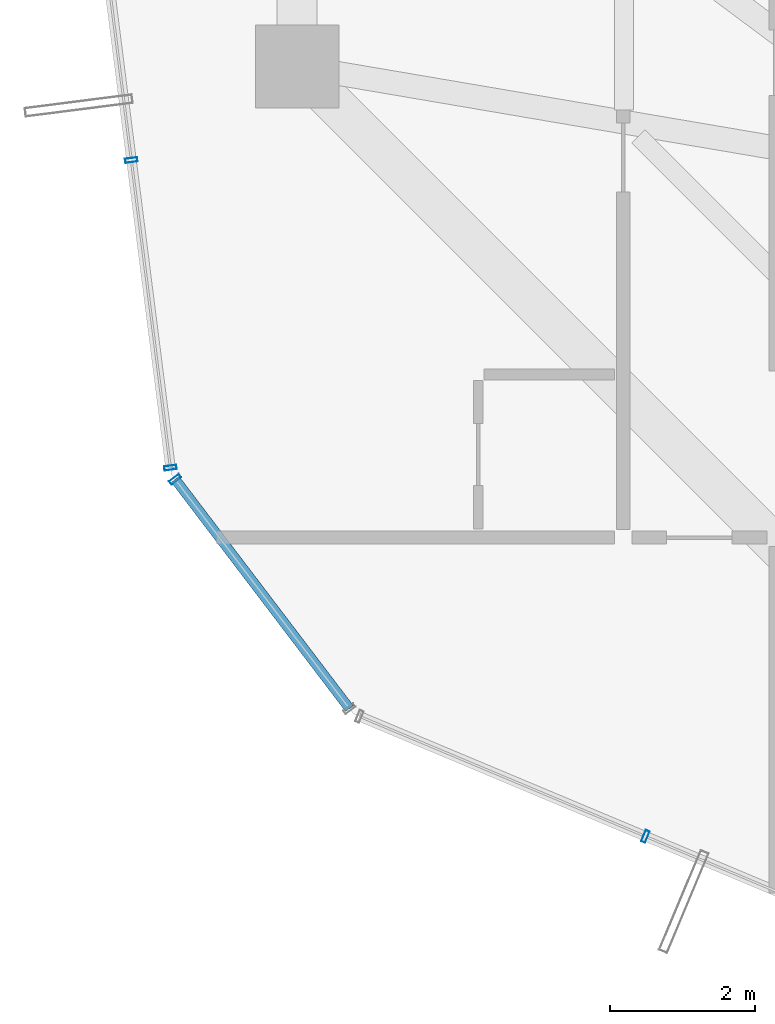
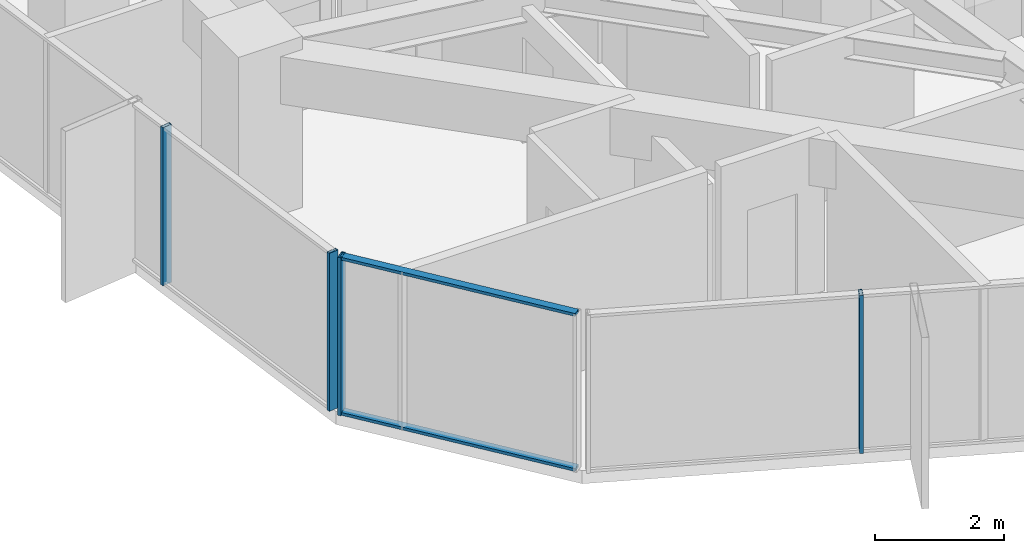
# One storey, part 4 of 33: 6 members, 3 elements without a shape of their own.
"""IFC4 building model written with IfcOpenShell, lengths in metres."""

from ifc_helpers import new_model, si_unit, direction, frame, origin, origin_2d, place, context, subcontext, project, spatial, hollow_rectangle, extrude, source, transform, mapped, material, layer, layer_set, material_profile, profile_set, type_object, element, aggregate, save


model = new_model("IFC4")

# Units and contexts
model_context = context("Model", 3, precision=1e-05, world=origin(), true_north=direction((0.0, 1.0)))
body_context = subcontext(model_context, "Body", "Model", "MODEL_VIEW")
ifc_project = project(units=[si_unit("LENGTHUNIT", "METRE"), si_unit("AREAUNIT", "SQUARE_METRE"), si_unit("VOLUMEUNIT", "CUBIC_METRE"), si_unit("PLANEANGLEUNIT", "RADIAN"), si_unit("MASSUNIT", "GRAM", prefix="KILO")], contexts=[model_context])

# Site, building, storey
site_placement = place(None, origin())
site = spatial("IfcSite", under=ifc_project, at=site_placement, CompositionType="ELEMENT")
building_placement = place(site_placement, origin())
building = spatial("IfcBuilding", under=site, at=building_placement, Name="Veraguas Prism Commons", CompositionType="ELEMENT")
storey_placement = place(building_placement, frame((0.0, 0.0, 152.25)))
storey = spatial("IfcBuildingStorey", under=building, at=storey_placement, Name="L43", CompositionType="ELEMENT", Elevation=152.25)

# Curtain wall, members
ifc_material = material(Name="Anodised aluminium EN AW-6063 T6", Category="aluminium")
ifc_layer = layer(ifc_material, 0.169921875, Name="Unitised Flush Curtain Wall Zone 2", Category="aluminium")
ifc_layer_set = layer_set([ifc_layer], Name="Anodised aluminium EN AW-6063 T6")
curtain_wall_type = type_object("IfcCurtainWallType", Name="Unitised Flush Curtain Wall Zone 2", PredefinedType="NOTDEFINED", material=ifc_layer_set)
curtain_wall_1_placement = place(storey_placement, origin())
curtain_wall_1 = element("IfcCurtainWall", 1, at=curtain_wall_1_placement, inside=storey, type_object=curtain_wall_type, Name="Tower Facade Curtain Wall L43-F3", PredefinedType="NOTDEFINED")
ifc_material_profile_1 = material_profile(ifc_material, hollow_rectangle(XDim=0.06005859375, YDim=0.169921875, WallThickness=0.00390625, at=origin_2d()), Name="AL60X170X4")
ifc_profile_set_1 = profile_set([ifc_material_profile_1], Name="Anodised aluminium EN AW-6063 T6")
member_type_1 = type_object("IfcMemberType", Name="Curtain Wall Mullion Lower AL 60x170x4", PredefinedType="MULLION", material=ifc_profile_set_1)
shared_shape_1 = source(origin(), body_context, "Body", "SweptSolid", [
    extrude(hollow_rectangle(XDim=0.06005859375, YDim=0.169921875, WallThickness=0.00390625, at=origin_2d()), origin(), (0.0, 0.0, 1.0), 3.0),
])
member_1_placement = place(storey_placement, frame((5.513427734375, 17.308349609375, 0.0), z_axis=(0.0, 0.0, 1.0), x_axis=(0.126020635446, -0.992027620302, 0.0)))
member_1 = element("IfcMember", 2, at=member_1_placement, type_object=member_type_1, Name="CW-Z2 Mullion 4", PredefinedType="MULLION", context=body_context, shape_type="MappedRepresentation", body=[
    mapped(shared_shape_1, transform((0.0, 0.0, 0.0), scale=1.0)),
])
member_2_placement = place(storey_placement, frame((6.052734375, 13.063720703125, 0.0), z_axis=(0.0, 0.0, 1.0), x_axis=(0.126020635446, -0.992027620302, 0.0)))
member_2 = element("IfcMember", 3, at=member_2_placement, type_object=member_type_1, Name="CW-Z2 Mullion 5", PredefinedType="MULLION", context=body_context, shape_type="MappedRepresentation", body=[
    mapped(shared_shape_1, transform((0.0, 0.0, 0.0), scale=1.0)),
])
aggregate(curtain_wall_1, [member_1, member_2])

# Curtain wall, member
curtain_wall_2_placement = place(storey_placement, origin())
curtain_wall_2 = element("IfcCurtainWall", 4, at=curtain_wall_2_placement, inside=storey, type_object=curtain_wall_type, Name="Tower Facade Curtain Wall L43-F4", PredefinedType="NOTDEFINED")
member_3_placement = place(storey_placement, frame((12.605712890625, 7.97802734375, 0.0), z_axis=(0.0, 0.0, 1.0), x_axis=(0.922132113386, -0.38687512903, 0.0)))
member_3 = element("IfcMember", 5, at=member_3_placement, type_object=member_type_1, Name="CW-Z2 Mullion 2", PredefinedType="MULLION", context=body_context, shape_type="MappedRepresentation", body=[
    mapped(shared_shape_1, transform((0.0, 0.0, 0.0), scale=1.0)),
])
aggregate(curtain_wall_2, [member_3])

# Curtain wall, members
curtain_wall_3_placement = place(storey_placement, origin())
curtain_wall_3 = element("IfcCurtainWall", 6, at=curtain_wall_3_placement, inside=storey, type_object=curtain_wall_type, Name="Chamfer Curtain Wall L43-C4", PredefinedType="NOTDEFINED")
member_4_placement = place(storey_placement, frame((6.118408203125, 12.90283203125, 0.0), z_axis=(0.0, 0.0, 1.0), x_axis=(0.60517311322, -0.796093903403, 0.0)))
member_4 = element("IfcMember", 7, at=member_4_placement, type_object=member_type_1, Name="CW-Z2 Mullion 1", PredefinedType="MULLION", context=body_context, shape_type="MappedRepresentation", body=[
    mapped(shared_shape_1, transform((0.0, 0.0, 0.0), scale=1.0)),
])
ifc_material_profile_2 = material_profile(ifc_material, hollow_rectangle(XDim=0.054931640625, YDim=0.135009765625, WallThickness=0.0029296875, at=origin_2d()), Name="AL55X135X3")
ifc_profile_set_2 = profile_set([ifc_material_profile_2], Name="Anodised aluminium EN AW-6063 T6")
member_type_2 = type_object("IfcMemberType", Name="Curtain Wall Transom Standard AL 55x135x3", PredefinedType="USERDEFINED", material=ifc_profile_set_2)
shared_shape_2 = source(origin(), body_context, "Body", "SweptSolid", [
    extrude(hollow_rectangle(XDim=0.054931640625, YDim=0.135009765625, WallThickness=0.0029296875, at=origin_2d()), origin(), (0.0, 0.0, 1.0), 3.97314453125),
])
member_5_placement = place(storey_placement, frame((6.118408203125, 12.90283203125, 0.027587890625), z_axis=(0.605207902441, -0.796067456201, 0.0), x_axis=(0.0, 0.0, 1.0)))
member_5 = element("IfcMember", 8, at=member_5_placement, type_object=member_type_2, Name="CW-Z2 Transom 1", ObjectType="TRANSOM", PredefinedType="USERDEFINED", context=body_context, shape_type="MappedRepresentation", body=[
    mapped(shared_shape_2, transform((0.0, 0.0, 0.0), scale=1.0)),
])
member_6_placement = place(storey_placement, frame((6.118408203125, 12.90283203125, 2.972412109375), z_axis=(0.605207902441, -0.796067456201, 0.0), x_axis=(0.0, 0.0, 1.0)))
member_6 = element("IfcMember", 9, at=member_6_placement, type_object=member_type_2, Name="CW-Z2 Transom 2", ObjectType="TRANSOM", PredefinedType="USERDEFINED", context=body_context, shape_type="MappedRepresentation", body=[
    mapped(shared_shape_2, transform((0.0, 0.0, 0.0), scale=1.0)),
])
aggregate(curtain_wall_3, [member_4, member_5, member_6])

save(model, "model.ifc")
